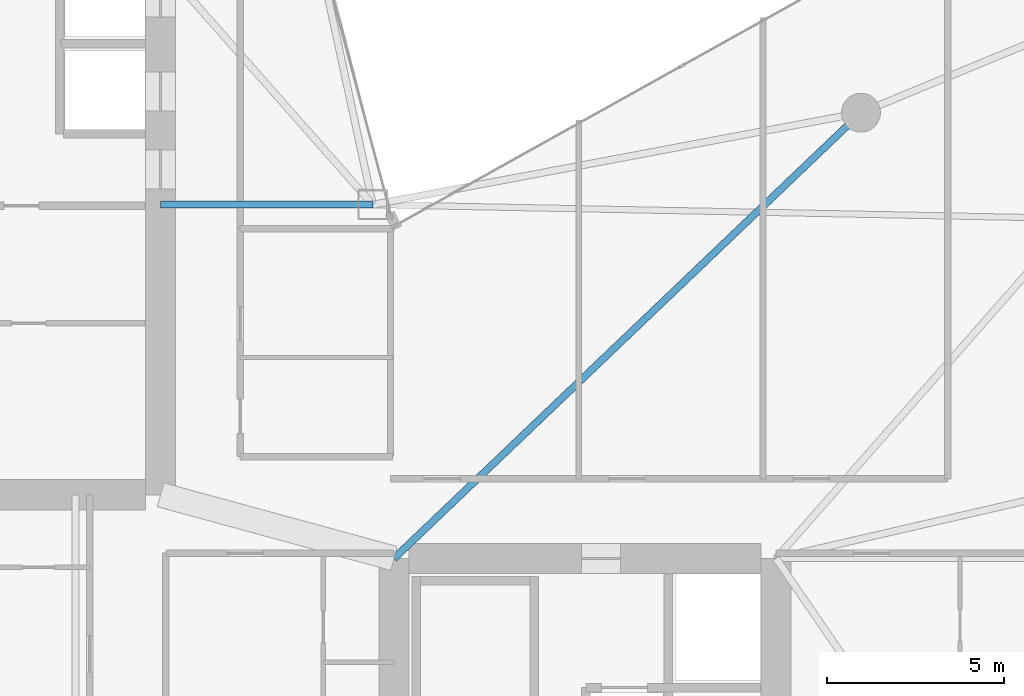
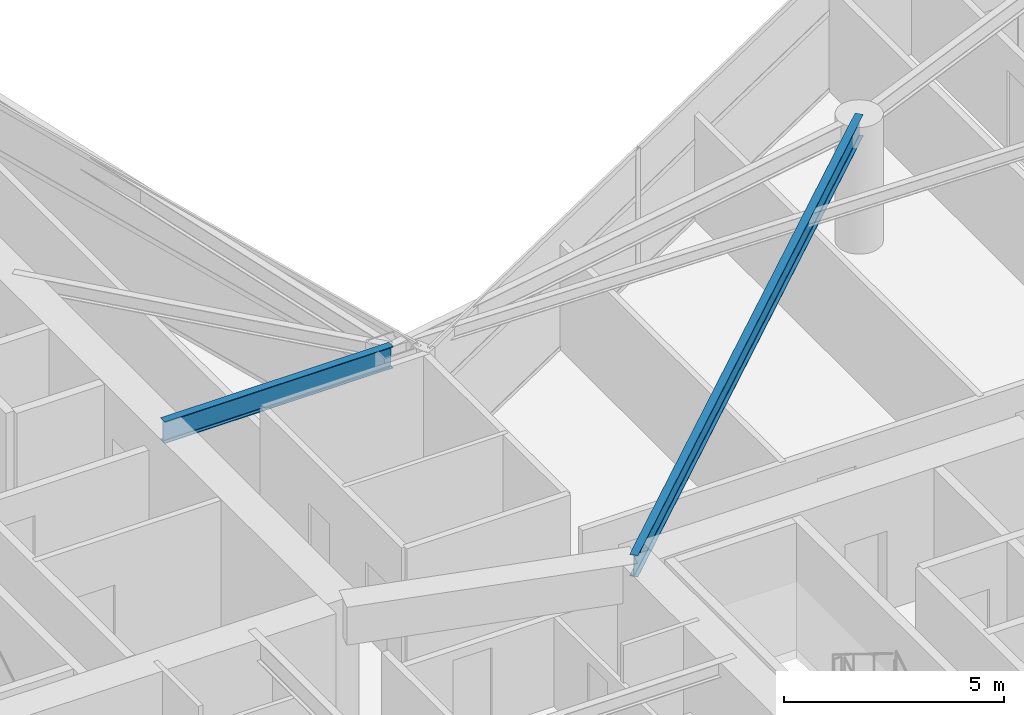
# One storey, part 9 of 28: 2 beams.
"""IFC4 building model written with IfcOpenShell, lengths in metres."""

from ifc_helpers import new_model, si_unit, direction, frame, origin, origin_2d, place, context, subcontext, project, spatial, i_section, extrude, material, material_profile, profile_set, type_object, element, save


model = new_model("IFC4")

# Units and contexts
model_context = context("Model", 3, precision=1e-05, world=origin(), true_north=direction((0.0, 1.0)))
body_context = subcontext(model_context, "Body", "Model", "MODEL_VIEW")
ifc_project = project(units=[si_unit("LENGTHUNIT", "METRE"), si_unit("AREAUNIT", "SQUARE_METRE"), si_unit("VOLUMEUNIT", "CUBIC_METRE"), si_unit("PLANEANGLEUNIT", "RADIAN"), si_unit("MASSUNIT", "GRAM", prefix="KILO")], contexts=[model_context])

# Site, building, storey
site_placement = place(None, origin())
site = spatial("IfcSite", under=ifc_project, at=site_placement, CompositionType="ELEMENT")
building_placement = place(site_placement, origin())
building = spatial("IfcBuilding", under=site, at=building_placement, Name="Calvorn Quay Hotel", CompositionType="ELEMENT")
storey_placement = place(building_placement, frame((0.0, 0.0, 182.699951171875)))
storey = spatial("IfcBuildingStorey", under=building, at=storey_placement, Name="L45", CompositionType="ELEMENT", Elevation=182.699951171875)

# Beams
ifc_material = material(Name="Steel Q355B", Category="steel")
ifc_material_profile = material_profile(ifc_material, i_section(OverallWidth=0.199951171875, OverallDepth=0.60009765625, WebThickness=0.010986328125, FlangeThickness=0.01708984375, FilletRadius=0.01806640625, at=origin_2d()), Name="HN600x200x11x17")
ifc_profile_set = profile_set([ifc_material_profile], Name="Steel Q355B")
beam_type = type_object("IfcBeamType", Name="BM-GIRD-TYP", PredefinedType="BEAM", material=ifc_profile_set)
beam_1_placement = place(storey_placement, frame((21.0, 25.0, 3.219970703125), z_axis=(-1.0, 0.0, 0.0), x_axis=(0.0, -1.0, 0.0)))
element("IfcBeam", 1, at=beam_1_placement, inside=storey, type_object=beam_type, Name="Beam BG-L45-W7", PredefinedType="BEAM", context=body_context, shape_type="SweptSolid", body=[
    extrude(i_section(OverallWidth=0.199951171875, OverallDepth=0.60009765625, WebThickness=0.010986328125, FlangeThickness=0.01708984375, FilletRadius=0.01806640625, at=origin_2d()), origin(), (0.0, 0.0, 1.0), 6.0),
])
beam_2_placement = place(storey_placement, frame((21.60009765625, 15.0, 3.219970703125), z_axis=(0.723351595578, 0.690479883252, 0.0), x_axis=(-0.690479883252, 0.723351595578, 0.0)))
element("IfcBeam", 2, at=beam_2_placement, inside=storey, type_object=beam_type, Name="Beam BG-L45-E4", PredefinedType="BEAM", context=body_context, shape_type="SweptSolid", body=[
    extrude(i_section(OverallWidth=0.199951171875, OverallDepth=0.60009765625, WebThickness=0.010986328125, FlangeThickness=0.01708984375, FilletRadius=0.01806640625, at=origin_2d()), origin(), (0.0, 0.0, 1.0), 18.248291015625),
])

save(model, "model.ifc")
